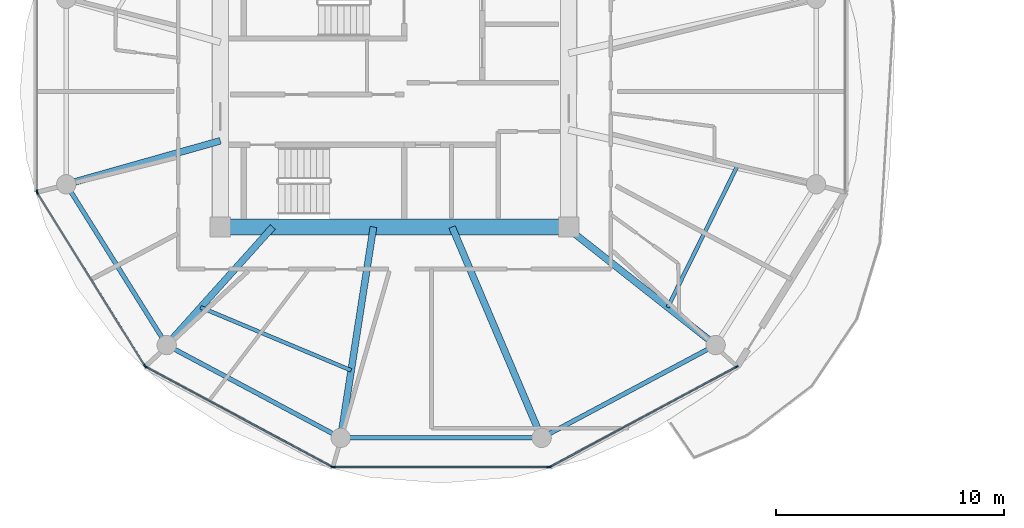
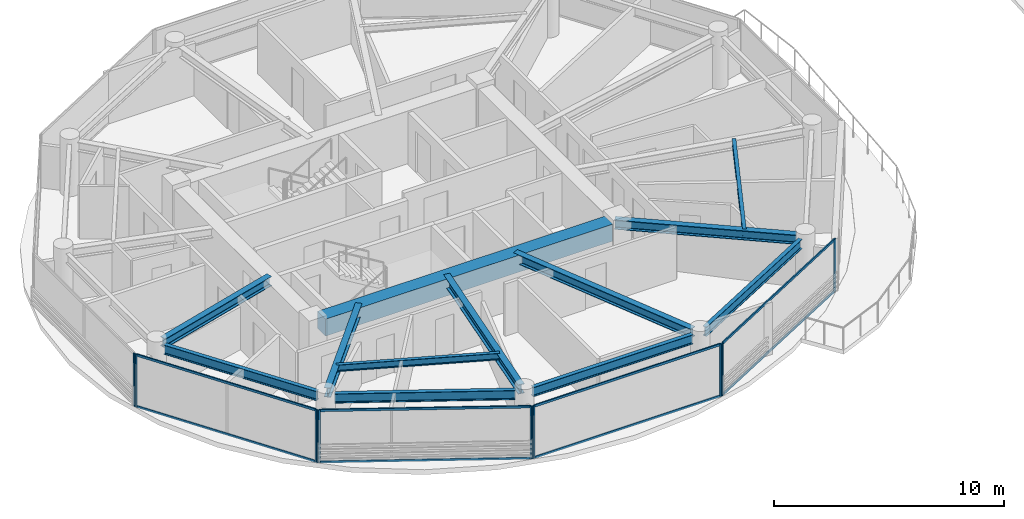
# One storey, part 2 of 22: 17 members, 12 beams, 5 elements without a shape of their own.
"""IFC4 building model written with IfcOpenShell, lengths in metres."""

import ifcopenshell
import ifcopenshell.guid

model = None  # the IFC model being written
_history = None  # IfcOwnerHistory: only IFC2X3 demands one
_inside = {}  # id of a spatial element -> (the spatial element, [elements in it])
_under = {}  # id of a project, library or spatial element -> (it, [spatial elements below it])
_declared = {}  # id of a project -> (the project, [libraries it declares])
_typed = {}  # id of a type object -> (the type object, [elements of that type])
_made_of = {}  # id of a material, layer set ... -> (it, [elements and type objects made of it])


def new_model(schema):
    """Start an empty IFC model of exactly this schema.

    Asked for "IFC4X3", IfcOpenShell would pick the latest addendum, in which some entities
    have other attributes; the version numbers below select the first issue.
    IFC2X3 requires an IfcOwnerHistory on every rooted entity: one is made here for all.
    """
    global model, _history
    if schema == "IFC4X3":
        model = ifcopenshell.file(schema_version=(4, 3, 0, 0))
    else:
        model = ifcopenshell.file(schema=schema)
    _inside.clear()
    _under.clear()
    _declared.clear()
    _typed.clear()
    _made_of.clear()
    _history = None
    if model.schema == "IFC2X3":
        org = make("IfcOrganization", Name="unknown")
        user = make(
            "IfcPersonAndOrganization",
            ThePerson=make("IfcPerson", FamilyName="unknown"),
            TheOrganization=org,
        )
        app = make(
            "IfcApplication",
            ApplicationDeveloper=org,
            Version="unknown",
            ApplicationFullName="unknown",
            ApplicationIdentifier="unknown",
        )
        _history = make(
            "IfcOwnerHistory",
            OwningUser=user,
            OwningApplication=app,
            ChangeAction="ADDED",
            CreationDate=0,
        )
    return model


def make(cls, **values):
    """One entity of the class cls with the attributes given. An attribute that is None is left unset."""
    return model.create_entity(
        cls, **{name: value for name, value in values.items() if value is not None}
    )


def rooted(cls, **values):
    """An entity with a GlobalId (a new one), such as an element, a storey or a relation."""
    return make(cls, GlobalId=ifcopenshell.guid.new(), OwnerHistory=_history, **values)


def si_unit(unit_type, name, prefix=None):
    """IfcSIUnit, for example si_unit("LENGTHUNIT", "METRE", prefix="MILLI")."""
    return make("IfcSIUnit", UnitType=unit_type, Prefix=prefix, Name=name)


def assignment(units):
    """IfcUnitAssignment: the units of a project."""
    return None if units is None else make("IfcUnitAssignment", Units=units)


def point(xyz):
    """IfcCartesianPoint."""
    return None if xyz is None else make("IfcCartesianPoint", Coordinates=xyz)


def direction(xyz):
    """IfcDirection."""
    return None if xyz is None else make("IfcDirection", DirectionRatios=xyz)


def frame(location, z_axis=None, x_axis=None):
    """IfcAxis2Placement3D, a coordinate frame: its origin and axes. An axis left out is left unset."""
    return make(
        "IfcAxis2Placement3D",
        Location=point(location),
        Axis=direction(z_axis),
        RefDirection=direction(x_axis),
    )


def frame_2d(location, x_axis=None):
    """IfcAxis2Placement2D, a coordinate frame in the plane: its origin and x axis."""
    return make(
        "IfcAxis2Placement2D", Location=point(location), RefDirection=direction(x_axis)
    )


def origin():
    """The frame at (0, 0, 0) with its axes left unset."""
    return frame((0.0, 0.0, 0.0))


def origin_2d():
    """The frame at (0, 0) in the plane with its x axis left unset."""
    return frame_2d((0.0, 0.0))


def place(relative_to, where):
    """IfcLocalPlacement: puts the frame where relative to a parent placement (None: the world)."""
    return make(
        "IfcLocalPlacement", PlacementRelTo=relative_to, RelativePlacement=where
    )


def context(
    kind, dimensions, precision=None, world=None, true_north=None, identifier=None
):
    """IfcGeometricRepresentationContext, for example the 3D "Model" context."""
    return make(
        "IfcGeometricRepresentationContext",
        ContextIdentifier=identifier,
        ContextType=kind,
        CoordinateSpaceDimension=dimensions,
        Precision=precision,
        WorldCoordinateSystem=world,
        TrueNorth=true_north,
    )


def subcontext(parent, identifier, kind, view, scale=None):
    """IfcGeometricRepresentationSubContext, for example "Body" below "Model"."""
    return make(
        "IfcGeometricRepresentationSubContext",
        ContextIdentifier=identifier,
        ContextType=kind,
        ParentContext=parent,
        TargetScale=scale,
        TargetView=view,
    )


def project(units=None, contexts=None):
    """IfcProject with its units and contexts."""
    return rooted(
        "IfcProject",
        Name="project",
        RepresentationContexts=contexts,
        UnitsInContext=assignment(units),
    )


def spatial(cls, under=None, at=None, **own):
    """A site, building, storey or space (cls), placed at a placement, below another one or the project."""
    s = rooted(cls, ObjectPlacement=at, **own)
    if under is not None:
        _under.setdefault(under.id(), (under, []))[1].append(s)
    return s


def profile(cls, at=None, kind="AREA", **sizes):
    """A parametric profile (cls). Its sizes go by their IFC names, for example OverallWidth=200.0."""
    return make(cls, ProfileType=kind, Position=at, **sizes)


def rectangle(**sizes):
    """IfcRectangleProfileDef."""
    return profile("IfcRectangleProfileDef", **sizes)


def i_section(**sizes):
    """IfcIShapeProfileDef."""
    return profile("IfcIShapeProfileDef", **sizes)


def extrude(swept, where, along, depth):
    """IfcExtrudedAreaSolid: the profile swept, set in the frame where, extruded along a direction by depth."""
    return make(
        "IfcExtrudedAreaSolid",
        SweptArea=swept,
        Position=where,
        ExtrudedDirection=direction(along),
        Depth=depth,
    )


def shape(context_of_items, identifier, shape_type, items):
    """IfcShapeRepresentation: the items that make up one representation, for example the "Body"."""
    return make(
        "IfcShapeRepresentation",
        ContextOfItems=context_of_items,
        RepresentationIdentifier=identifier,
        RepresentationType=shape_type,
        Items=items,
    )


def source(mapping_origin, context_of_items, identifier, shape_type, items):
    """IfcRepresentationMap: a shape defined once, which mapped items show again and again."""
    return make(
        "IfcRepresentationMap",
        MappingOrigin=mapping_origin,
        MappedRepresentation=shape(context_of_items, identifier, shape_type, items),
    )


def transform(
    local_origin,
    x_axis=None,
    y_axis=None,
    z_axis=None,
    scale=None,
    scale2=None,
    scale3=None,
    uniform=True,
):
    """IfcCartesianTransformationOperator3D, or its non-uniform kind. x_axis, y_axis, z_axis: its Axis1, 2, 3."""
    if uniform:
        return make(
            "IfcCartesianTransformationOperator3D",
            Axis1=direction(x_axis),
            Axis2=direction(y_axis),
            LocalOrigin=point(local_origin),
            Scale=scale,
            Axis3=direction(z_axis),
        )
    return make(
        "IfcCartesianTransformationOperator3DnonUniform",
        Axis1=direction(x_axis),
        Axis2=direction(y_axis),
        LocalOrigin=point(local_origin),
        Scale=scale,
        Axis3=direction(z_axis),
        Scale2=scale2,
        Scale3=scale3,
    )


def mapped(mapping_source, mapping_target):
    """IfcMappedItem: shows the shape of a source again, moved by a transform."""
    return make(
        "IfcMappedItem", MappingSource=mapping_source, MappingTarget=mapping_target
    )


def material(Name=None, Category=None):
    """IfcMaterial."""
    return make("IfcMaterial", Name=Name, Category=Category)


def layer(
    of_material, thickness, ventilated=None, Name=None, Category=None, Priority=None
):
    """IfcMaterialLayer: one layer of a wall or slab, of a material (None: an air gap)."""
    return make(
        "IfcMaterialLayer",
        Material=of_material,
        LayerThickness=thickness,
        IsVentilated=ventilated,
        Name=Name,
        Category=Category,
        Priority=Priority,
    )


def layer_set(layers, Name=None):
    """IfcMaterialLayerSet."""
    return make("IfcMaterialLayerSet", MaterialLayers=layers, LayerSetName=Name)


def material_profile(
    of_material, cross_section, Name=None, Category=None, Priority=None
):
    """IfcMaterialProfile: a cross section and its material."""
    return make(
        "IfcMaterialProfile",
        Name=Name,
        Material=of_material,
        Profile=cross_section,
        Priority=Priority,
        Category=Category,
    )


def profile_set(profiles, Name=None, composite=None):
    """IfcMaterialProfileSet."""
    return make(
        "IfcMaterialProfileSet",
        Name=Name,
        MaterialProfiles=profiles,
        CompositeProfile=composite,
    )


def made_of(thing, what):
    """Note that an element or type object is made of a material, layer set ...; save() writes the relation."""
    if what is not None:
        _made_of.setdefault(what.id(), (what, []))[1].append(thing)
    return thing


def type_object(cls, material=None, **own):
    """A type object (cls), such as IfcWallType, which elements share."""
    return made_of(rooted(cls, **own), material)


def type_shapes(of_type, sources):
    """Give a type object the sources (RepresentationMaps) that its elements show as mapped items."""
    of_type.RepresentationMaps = sources


def element(
    cls,
    number,
    at=None,
    inside=None,
    cuts=None,
    type_object=None,
    material=None,
    context=None,
    identifier="Body",
    shape_type=None,
    held_by="IfcProductDefinitionShape",
    body=None,
    shapes=None,
    **own,
):
    """One element of the class cls, such as IfcWall. Its Tag is "e" and its number.

    at: its placement. inside: the storey or other place that contains it. cuts: it is an
    opening in that element (IfcRelVoidsElement). A single representation is given by context,
    identifier, shape_type and body (its items); several are given by shapes. held_by: the class
    of the entity that holds the representations. save() writes the other relations.
    """
    e = rooted(cls, Tag="e%d" % number, ObjectPlacement=at, **own)
    if body is not None:
        shapes = [shape(context, identifier, shape_type, body)]
    if shapes is not None:
        e.Representation = make(held_by, Representations=shapes)
    if inside is not None:
        _inside.setdefault(inside.id(), (inside, []))[1].append(e)
    if cuts is not None:
        rooted(
            "IfcRelVoidsElement", RelatingBuildingElement=cuts, RelatedOpeningElement=e
        )
    if type_object is not None:
        _typed.setdefault(type_object.id(), (type_object, []))[1].append(e)
    return made_of(e, material)


def aggregate(whole, parts):
    """IfcRelAggregates: a whole, such as a stair, and the parts it consists of."""
    return rooted("IfcRelAggregates", RelatingObject=whole, RelatedObjects=parts)


def save(model, path):
    """Write the relations noted so far, then the file.

    IfcRelAggregates (storeys below a building ...), IfcRelContainedInSpatialStructure (elements
    in a storey), IfcRelDefinesByType, IfcRelAssociatesMaterial and IfcRelDeclares: one each for
    every whole, place, type object, material and project.
    """
    for whole, parts in _under.values():
        aggregate(whole, parts)
    for where, things in _inside.values():
        rooted(
            "IfcRelContainedInSpatialStructure",
            RelatedElements=things,
            RelatingStructure=where,
        )
    for kind, things in _typed.values():
        rooted("IfcRelDefinesByType", RelatedObjects=things, RelatingType=kind)
    for what, things in _made_of.values():
        rooted("IfcRelAssociatesMaterial", RelatedObjects=things, RelatingMaterial=what)
    for by, libraries in _declared.values():
        rooted("IfcRelDeclares", RelatingContext=by, RelatedDefinitions=libraries)
    model.write(path)


model = new_model("IFC4")

# Units and contexts
model_context = context("Model", 3, precision=1e-05, world=origin(), true_north=direction((0.0, 1.0)))
body_context = subcontext(model_context, "Body", "Model", "MODEL_VIEW")
ifc_project = project(units=[si_unit("LENGTHUNIT", "METRE"), si_unit("AREAUNIT", "SQUARE_METRE"), si_unit("VOLUMEUNIT", "CUBIC_METRE"), si_unit("PLANEANGLEUNIT", "RADIAN"), si_unit("MASSUNIT", "GRAM", prefix="KILO")], contexts=[model_context])

# Site, building, storey
site_placement = place(None, origin())
site = spatial("IfcSite", under=ifc_project, at=site_placement, CompositionType="ELEMENT")
building_placement = place(site_placement, origin())
building = spatial("IfcBuilding", under=site, at=building_placement, Name="Norrkilde Senior Care Towers", CompositionType="ELEMENT")
storey_placement = place(building_placement, frame((0.0, 0.0, 120.64990234375)))
storey = spatial("IfcBuildingStorey", under=building, at=storey_placement, Name="L37", CompositionType="ELEMENT", Elevation=120.64990234375)

# Beams
ifc_material_1 = material(Name="Concrete C60/75", Category="concrete")
ifc_material_profile_1 = material_profile(ifc_material_1, rectangle(XDim=0.699951171875, YDim=0.89990234375, at=origin_2d()), Name="RC BM 700x900")
ifc_profile_set_1 = profile_set([ifc_material_profile_1], Name="Concrete C60/75")
beam_type_1 = type_object("IfcBeamType", Name="Core Coupling Girder 700x900", PredefinedType="USERDEFINED", material=ifc_profile_set_1)
shared_shape_1 = source(origin(), body_context, "Body", "SweptSolid", [
    extrude(rectangle(XDim=0.699951171875, YDim=0.89990234375, at=origin_2d()), origin(), (0.0, 0.0, 1.0), 14.43994140625),
])
type_shapes(beam_type_1, [shared_shape_1])
beam_1_placement = place(storey_placement, frame((-35.219970703125, -5.949951171875, 2.340087890625), z_axis=(1.0, 0.0, 0.0), x_axis=(0.0, 1.0, 0.0)))
element("IfcBeam", 1, at=beam_1_placement, inside=storey, type_object=beam_type_1, Name="L37 Core W S Coupling Girder", ObjectType="GIRDER", PredefinedType="USERDEFINED", context=body_context, shape_type="MappedRepresentation", body=[
    mapped(shared_shape_1, transform((0.0, 0.0, 0.0), x_axis=(1.0, 0.0, 0.0), y_axis=(0.0, 1.0, 0.0), z_axis=(0.0, 0.0, 1.0), scale=1.0)),
])
ifc_material_2 = material(Name="Steel S355", Category="steel")
ifc_material_profile_2 = material_profile(ifc_material_2, i_section(OverallWidth=0.199951171875, OverallDepth=0.5, WebThickness=0.01025390625, FlangeThickness=0.01611328125, FilletRadius=0.02099609375, at=origin_2d()), Name="IPE 500")
ifc_profile_set_2 = profile_set([ifc_material_profile_2], Name="Steel S355")
beam_type_2 = type_object("IfcBeamType", Name="Perimeter Ring Spandrel Z2 IPE500", PredefinedType="SPANDREL", material=ifc_profile_set_2)
shared_shape_2 = source(origin(), body_context, "Body", "SweptSolid", [
    extrude(i_section(OverallWidth=0.199951171875, OverallDepth=0.5, WebThickness=0.01025390625, FlangeThickness=0.01611328125, FilletRadius=0.02099609375, at=origin_2d()), origin(), (0.0, 0.0, 1.0), 7.892333984375),
])
for number, where, z_axis, x_axis, name in (
    (2, (-37.66650390625, -11.318115234375, 2.5400390625), (0.882350372282, -0.47059305194, 0.0), (0.47059305194, 0.882350372282, 0.0), "L37 Drum W Perimeter Spandrel 08"),
    (3, (-21.197509765625, -15.0322265625, 2.5400390625), (0.882350372282, 0.47059305194, 0.0), (-0.47059305194, 0.882350372282, 0.0), "L37 Drum W Perimeter Spandrel 10"),
):
    element("IfcBeam", number, at=place(storey_placement, frame(where, z_axis=z_axis, x_axis=x_axis)), inside=storey, type_object=beam_type_2, Name=name, PredefinedType="SPANDREL", context=body_context, shape_type="MappedRepresentation", body=[
        mapped(shared_shape_2, transform((0.0, 0.0, 0.0), x_axis=(1.0, 0.0, 0.0), y_axis=(0.0, 1.0, 0.0), z_axis=(0.0, 0.0, 1.0), scale=1.0)),
    ])
ifc_material_profile_3 = material_profile(ifc_material_2, i_section(OverallWidth=0.300048828125, OverallDepth=0.5, WebThickness=0.014404296875, FlangeThickness=0.028076171875, FilletRadius=0.027099609375, at=origin_2d()), Name="HEB 500")
ifc_profile_set_3 = profile_set([ifc_material_profile_3], Name="Steel S355")
beam_type_3 = type_object("IfcBeamType", Name="Radial Floor Beam Z2 HEB500", PredefinedType="BEAM", material=ifc_profile_set_3)
shared_shape_3 = source(origin(), body_context, "Body", "SweptSolid", [
    extrude(i_section(OverallWidth=0.300048828125, OverallDepth=0.5, WebThickness=0.014404296875, FlangeThickness=0.028076171875, FilletRadius=0.027099609375, at=origin_2d()), origin(), (0.0, 0.0, 1.0), 7.985595703125),
])
beam_2_placement = place(storey_placement, frame((-20.463623046875, -5.949951171875, 2.5400390625), z_axis=(0.784858505144, -0.619675017169, 0.0), x_axis=(0.619675017169, 0.784858505144, 0.0)))
element("IfcBeam", 4, at=beam_2_placement, inside=storey, type_object=beam_type_3, Name="L37 Drum W Radial Floor Beam 11", PredefinedType="BEAM", context=body_context, shape_type="MappedRepresentation", body=[
    mapped(shared_shape_3, transform((0.0, 0.0, 0.0), x_axis=(1.0, 0.0, 0.0), y_axis=(0.0, 1.0, 0.0), z_axis=(0.0, 0.0, 1.0), scale=1.0)),
])
shared_shape_4 = source(origin(), body_context, "Body", "SweptSolid", [
    extrude(i_section(OverallWidth=0.199951171875, OverallDepth=0.5, WebThickness=0.01025390625, FlangeThickness=0.01611328125, FilletRadius=0.02099609375, at=origin_2d()), origin(), (0.0, 0.0, 1.0), 8.0556640625),
])
beam_3_placement = place(storey_placement, frame((-29.977783203125, -15.21337890625, 2.5400390625), z_axis=(1.0, 0.0, 0.0), x_axis=(0.0, 1.0, 0.0)))
element("IfcBeam", 5, at=beam_3_placement, inside=storey, type_object=beam_type_2, Name="L37 Drum W Perimeter Spandrel 09", PredefinedType="SPANDREL", context=body_context, shape_type="MappedRepresentation", body=[
    mapped(shared_shape_4, transform((0.0, 0.0, 0.0), x_axis=(1.0, 0.0, 0.0), y_axis=(0.0, 1.0, 0.0), z_axis=(0.0, 0.0, 1.0), scale=1.0)),
])
shared_shape_5 = source(origin(), body_context, "Body", "SweptSolid", [
    extrude(i_section(OverallWidth=0.300048828125, OverallDepth=0.5, WebThickness=0.014404296875, FlangeThickness=0.028076171875, FilletRadius=0.027099609375, at=origin_2d()), origin(), (0.0, 0.0, 1.0), 9.679443359375),
])
beam_4_placement = place(storey_placement, frame((-25.472412109375, -5.949951171875, 2.5400390625), z_axis=(0.390998033479, -0.920391513333, 0.0), x_axis=(0.920391513333, 0.390998033479, 0.0)))
element("IfcBeam", 6, at=beam_4_placement, inside=storey, type_object=beam_type_3, Name="L37 Drum W Radial Floor Beam 10", PredefinedType="BEAM", context=body_context, shape_type="MappedRepresentation", body=[
    mapped(shared_shape_5, transform((0.0, 0.0, 0.0), x_axis=(1.0, 0.0, 0.0), y_axis=(0.0, 1.0, 0.0), z_axis=(0.0, 0.0, 1.0), scale=1.0)),
])
shared_shape_6 = source(origin(), body_context, "Body", "SweptSolid", [
    extrude(i_section(OverallWidth=0.300048828125, OverallDepth=0.5, WebThickness=0.014404296875, FlangeThickness=0.028076171875, FilletRadius=0.027099609375, at=origin_2d()), origin(), (0.0, 0.0, 1.0), 8.989501953125),
])
beam_5_placement = place(storey_placement, frame((-28.924072265625, -5.949951171875, 2.5400390625), z_axis=(-0.153471298636, -0.988153105796, 0.0), x_axis=(0.988153105796, -0.153471298636, 0.0)))
element("IfcBeam", 7, at=beam_5_placement, inside=storey, type_object=beam_type_3, Name="L37 Drum W Radial Floor Beam 09", PredefinedType="BEAM", context=body_context, shape_type="MappedRepresentation", body=[
    mapped(shared_shape_6, transform((0.0, 0.0, 0.0), x_axis=(1.0, 0.0, 0.0), y_axis=(0.0, 1.0, 0.0), z_axis=(0.0, 0.0, 1.0), scale=1.0)),
])
shared_shape_7 = source(origin(), body_context, "Body", "SweptSolid", [
    extrude(i_section(OverallWidth=0.199951171875, OverallDepth=0.5, WebThickness=0.01025390625, FlangeThickness=0.01611328125, FilletRadius=0.02099609375, at=origin_2d()), origin(), (0.0, 0.0, 1.0), 7.556396484375),
])
type_shapes(beam_type_2, [shared_shape_2, shared_shape_4, shared_shape_7])
beam_6_placement = place(storey_placement, frame((-42.215087890625, -4.40283203125, 2.5400390625), z_axis=(0.530004748437, -0.847994673706, 0.0), x_axis=(0.847994673706, 0.530004748437, 0.0)))
element("IfcBeam", 8, at=beam_6_placement, inside=storey, type_object=beam_type_2, Name="L37 Drum W Perimeter Spandrel 07", PredefinedType="SPANDREL", context=body_context, shape_type="MappedRepresentation", body=[
    mapped(shared_shape_7, transform((0.0, 0.0, 0.0), x_axis=(1.0, 0.0, 0.0), y_axis=(0.0, 1.0, 0.0), z_axis=(0.0, 0.0, 1.0), scale=1.0)),
])
shared_shape_8 = source(origin(), body_context, "Body", "SweptSolid", [
    extrude(i_section(OverallWidth=0.300048828125, OverallDepth=0.5, WebThickness=0.014404296875, FlangeThickness=0.028076171875, FilletRadius=0.027099609375, at=origin_2d()), origin(), (0.0, 0.0, 1.0), 6.587890625),
])
beam_7_placement = place(storey_placement, frame((-33.345947265625, -5.949951171875, 2.5400390625), z_axis=(-0.668315438605, -0.743877997068, 0.0), x_axis=(0.743877997068, -0.668315438605, 0.0)))
element("IfcBeam", 9, at=beam_7_placement, inside=storey, type_object=beam_type_3, Name="L37 Drum W Radial Floor Beam 08", PredefinedType="BEAM", context=body_context, shape_type="MappedRepresentation", body=[
    mapped(shared_shape_8, transform((0.0, 0.0, 0.0), x_axis=(1.0, 0.0, 0.0), y_axis=(0.0, 1.0, 0.0), z_axis=(0.0, 0.0, 1.0), scale=1.0)),
])
shared_shape_9 = source(origin(), body_context, "Body", "SweptSolid", [
    extrude(i_section(OverallWidth=0.300048828125, OverallDepth=0.5, WebThickness=0.014404296875, FlangeThickness=0.028076171875, FilletRadius=0.027099609375, at=origin_2d()), origin(), (0.0, 0.0, 1.0), 6.6494140625),
])
type_shapes(beam_type_3, [shared_shape_3, shared_shape_5, shared_shape_6, shared_shape_8, shared_shape_9])
beam_8_placement = place(storey_placement, frame((-35.64990234375, -2.162841796875, 2.5400390625), z_axis=(-0.962289138357, -0.27202870106, 0.0), x_axis=(0.27202870106, -0.962289138357, 0.0)))
element("IfcBeam", 10, at=beam_8_placement, inside=storey, type_object=beam_type_3, Name="L37 Drum W Radial Floor Beam 07", PredefinedType="BEAM", context=body_context, shape_type="MappedRepresentation", body=[
    mapped(shared_shape_9, transform((0.0, 0.0, 0.0), x_axis=(1.0, 0.0, 0.0), y_axis=(0.0, 1.0, 0.0), z_axis=(0.0, 0.0, 1.0), scale=1.0)),
])
ifc_material_profile_4 = material_profile(ifc_material_2, i_section(OverallWidth=0.169921875, OverallDepth=0.360107421875, WebThickness=0.008056640625, FlangeThickness=0.0126953125, FilletRadius=0.01806640625, at=origin_2d()), Name="IPE 360")
ifc_profile_set_4 = profile_set([ifc_material_profile_4], Name="Steel S355")
beam_type_4 = type_object("IfcBeamType", Name="Secondary Floor Joist IPE360", PredefinedType="JOIST", material=ifc_profile_set_4)
shared_shape_10 = source(origin(), body_context, "Body", "SweptSolid", [
    extrude(i_section(OverallWidth=0.169921875, OverallDepth=0.360107421875, WebThickness=0.008056640625, FlangeThickness=0.0126953125, FilletRadius=0.01806640625, at=origin_2d()), origin(), (0.0, 0.0, 1.0), 7.169921875),
])
beam_9_placement = place(storey_placement, frame((-36.514892578125, -9.47705078125, 2.610107421875), z_axis=(0.922240600393, -0.386616444279, 0.0), x_axis=(0.386616444279, 0.922240600393, 0.0)))
element("IfcBeam", 11, at=beam_9_placement, inside=storey, type_object=beam_type_4, Name="L37 Drum W Secondary Floor Joist 3", PredefinedType="JOIST", context=body_context, shape_type="MappedRepresentation", body=[
    mapped(shared_shape_10, transform((0.0, 0.0, 0.0), x_axis=(1.0, 0.0, 0.0), y_axis=(0.0, 1.0, 0.0), z_axis=(0.0, 0.0, 1.0), scale=1.0)),
])
shared_shape_11 = source(origin(), body_context, "Body", "SweptSolid", [
    extrude(i_section(OverallWidth=0.169921875, OverallDepth=0.360107421875, WebThickness=0.008056640625, FlangeThickness=0.0126953125, FilletRadius=0.01806640625, at=origin_2d()), origin(), (0.0, 0.0, 1.0), 6.87353515625),
])
type_shapes(beam_type_4, [shared_shape_10, shared_shape_11])
beam_10_placement = place(storey_placement, frame((-15.99609375, -9.47705078125, 2.610107421875), z_axis=(0.44184939592, 0.897089243791, 0.0), x_axis=(-0.897089243791, 0.44184939592, 0.0)))
element("IfcBeam", 12, at=beam_10_placement, inside=storey, type_object=beam_type_4, Name="L37 Drum W Secondary Floor Joist 4", PredefinedType="JOIST", context=body_context, shape_type="MappedRepresentation", body=[
    mapped(shared_shape_11, transform((0.0, 0.0, 0.0), x_axis=(1.0, 0.0, 0.0), y_axis=(0.0, 1.0, 0.0), z_axis=(0.0, 0.0, 1.0), scale=1.0)),
])

# Curtain wall, member
ifc_material_3 = material(Name="Triple Low-E Insulated Glazing", Category="glass")
ifc_layer = layer(ifc_material_3, 0.195068359375)
ifc_layer_set = layer_set([ifc_layer], Name="Triple Low-E Insulated Glazing")
curtain_wall_type = type_object("IfcCurtainWallType", Name="CW3 Zone 2 Assisted Living Curtain Wall", PredefinedType="NOTDEFINED", material=ifc_layer_set)
curtain_wall_1_placement = place(storey_placement, origin())
curtain_wall_1 = element("IfcCurtainWall", 13, at=curtain_wall_1_placement, inside=storey, type_object=curtain_wall_type, Name="L37 Drum W Curtain Wall 05", PredefinedType="NOTDEFINED")
ifc_material_4 = material(Name="Anodised Aluminium", Category="aluminium")
ifc_material_profile_5 = material_profile(ifc_material_4, rectangle(XDim=0.06494140625, YDim=0.159912109375, at=origin_2d()), Name="ALU MULL 65x160")
ifc_profile_set_5 = profile_set([ifc_material_profile_5], Name="Anodised Aluminium")
member_type_1 = type_object("IfcMemberType", Name="Curtain Wall Mullion Z1-Z2 65x160", PredefinedType="MULLION", material=ifc_profile_set_5)
shared_shape_12 = source(origin(), body_context, "Body", "SweptSolid", [
    extrude(rectangle(XDim=0.06494140625, YDim=0.159912109375, at=origin_2d()), origin(), (0.0, 0.0, 1.0), 2.7900390625),
])
type_shapes(member_type_1, [shared_shape_12])
member_1_placement = place(storey_placement, frame((-43.70361328125, -4.38818359375, 0.0), z_axis=(0.0, 0.0, 1.0), x_axis=(-1.0, 0.0, 0.0)))
member_1 = element("IfcMember", 14, at=member_1_placement, type_object=member_type_1, Name="CW-3 mullion 1", PredefinedType="MULLION", context=body_context, shape_type="MappedRepresentation", body=[
    mapped(shared_shape_12, transform((0.0, 0.0, 0.0), x_axis=(1.0, 0.0, 0.0), y_axis=(0.0, 1.0, 0.0), z_axis=(0.0, 0.0, 1.0), scale=1.0)),
])
aggregate(curtain_wall_1, [member_1])

# Curtain wall, members
curtain_wall_2_placement = place(storey_placement, origin())
curtain_wall_2 = element("IfcCurtainWall", 15, at=curtain_wall_2_placement, inside=storey, type_object=curtain_wall_type, Name="L37 Drum W Curtain Wall 06", PredefinedType="NOTDEFINED")
member_2_placement = place(storey_placement, frame((-38.9638671875, -12.0498046875, 0.0), z_axis=(0.0, 0.0, 1.0), x_axis=(-0.849410171862, -0.527733228002, 0.0)))
member_2 = element("IfcMember", 16, at=member_2_placement, type_object=member_type_1, Name="CW-3 mullion 1", PredefinedType="MULLION", context=body_context, shape_type="MappedRepresentation", body=[
    mapped(shared_shape_12, transform((0.0, 0.0, 0.0), x_axis=(1.0, 0.0, 0.0), y_axis=(0.0, 1.0, 0.0), z_axis=(0.0, 0.0, 1.0), scale=1.0)),
])
member_3_placement = place(storey_placement, frame((-43.6865234375, -4.4482421875, 0.0), z_axis=(0.0, 0.0, 1.0), x_axis=(-0.849410171862, -0.527733228002, 0.0)))
member_3 = element("IfcMember", 17, at=member_3_placement, type_object=member_type_1, Name="CW-3 mullion 2", PredefinedType="MULLION", context=body_context, shape_type="MappedRepresentation", body=[
    mapped(shared_shape_12, transform((0.0, 0.0, 0.0), x_axis=(1.0, 0.0, 0.0), y_axis=(0.0, 1.0, 0.0), z_axis=(0.0, 0.0, 1.0), scale=1.0)),
])

curtain_wall_3_placement = place(storey_placement, origin())
curtain_wall_3 = element("IfcCurtainWall", 18, at=curtain_wall_3_placement, inside=storey, type_object=curtain_wall_type, Name="L37 Drum W Curtain Wall 07", PredefinedType="NOTDEFINED")
member_4_placement = place(storey_placement, frame((-30.73583984375, -16.482666015625, 0.0), z_axis=(0.0, 0.0, 1.0), x_axis=(-0.472769402511, -0.881186184668, 0.0)))
member_4 = element("IfcMember", 19, at=member_4_placement, type_object=member_type_1, Name="CW-3 mullion 1", PredefinedType="MULLION", context=body_context, shape_type="MappedRepresentation", body=[
    mapped(shared_shape_12, transform((0.0, 0.0, 0.0), x_axis=(1.0, 0.0, 0.0), y_axis=(0.0, 1.0, 0.0), z_axis=(0.0, 0.0, 1.0), scale=1.0)),
])
member_5_placement = place(storey_placement, frame((-38.91796875, -12.0927734375, 0.0), z_axis=(0.0, 0.0, 1.0), x_axis=(-0.472769402511, -0.881186184668, 0.0)))
member_5 = element("IfcMember", 20, at=member_5_placement, type_object=member_type_1, Name="CW-3 mullion 2", PredefinedType="MULLION", context=body_context, shape_type="MappedRepresentation", body=[
    mapped(shared_shape_12, transform((0.0, 0.0, 0.0), x_axis=(1.0, 0.0, 0.0), y_axis=(0.0, 1.0, 0.0), z_axis=(0.0, 0.0, 1.0), scale=1.0)),
])

curtain_wall_4_placement = place(storey_placement, origin())
curtain_wall_4 = element("IfcCurtainWall", 21, at=curtain_wall_4_placement, inside=storey, type_object=curtain_wall_type, Name="L37 Drum W Curtain Wall 08", PredefinedType="NOTDEFINED")
member_6_placement = place(storey_placement, frame((-21.225341796875, -16.498046875, 0.0), z_axis=(0.0, 0.0, 1.0), x_axis=(0.0, -1.0, 0.0)))
member_6 = element("IfcMember", 22, at=member_6_placement, type_object=member_type_1, Name="CW-3 mullion 1", PredefinedType="MULLION", context=body_context, shape_type="MappedRepresentation", body=[
    mapped(shared_shape_12, transform((0.0, 0.0, 0.0), x_axis=(1.0, 0.0, 0.0), y_axis=(0.0, 1.0, 0.0), z_axis=(0.0, 0.0, 1.0), scale=1.0)),
])
member_7_placement = place(storey_placement, frame((-30.674560546875, -16.498046875, 0.0), z_axis=(0.0, 0.0, 1.0), x_axis=(0.0, -1.0, 0.0)))
member_7 = element("IfcMember", 23, at=member_7_placement, type_object=member_type_1, Name="CW-3 mullion 2", PredefinedType="MULLION", context=body_context, shape_type="MappedRepresentation", body=[
    mapped(shared_shape_12, transform((0.0, 0.0, 0.0), x_axis=(1.0, 0.0, 0.0), y_axis=(0.0, 1.0, 0.0), z_axis=(0.0, 0.0, 1.0), scale=1.0)),
])

curtain_wall_5_placement = place(storey_placement, origin())
curtain_wall_5 = element("IfcCurtainWall", 24, at=curtain_wall_5_placement, inside=storey, type_object=curtain_wall_type, Name="L37 Drum W Curtain Wall 09", PredefinedType="NOTDEFINED")
member_8_placement = place(storey_placement, frame((-12.98193359375, -12.0927734375, 0.0), z_axis=(0.0, 0.0, 1.0), x_axis=(0.472769402511, -0.881186184668, 0.0)))
member_8 = element("IfcMember", 25, at=member_8_placement, type_object=member_type_1, Name="CW-3 mullion 1", PredefinedType="MULLION", context=body_context, shape_type="MappedRepresentation", body=[
    mapped(shared_shape_12, transform((0.0, 0.0, 0.0), x_axis=(1.0, 0.0, 0.0), y_axis=(0.0, 1.0, 0.0), z_axis=(0.0, 0.0, 1.0), scale=1.0)),
])
member_9_placement = place(storey_placement, frame((-21.164306640625, -16.482666015625, 0.0), z_axis=(0.0, 0.0, 1.0), x_axis=(0.472769402511, -0.881186184668, 0.0)))
member_9 = element("IfcMember", 26, at=member_9_placement, type_object=member_type_1, Name="CW-3 mullion 2", PredefinedType="MULLION", context=body_context, shape_type="MappedRepresentation", body=[
    mapped(shared_shape_12, transform((0.0, 0.0, 0.0), x_axis=(1.0, 0.0, 0.0), y_axis=(0.0, 1.0, 0.0), z_axis=(0.0, 0.0, 1.0), scale=1.0)),
])

# Member
ifc_material_profile_6 = material_profile(ifc_material_4, rectangle(XDim=0.06005859375, YDim=0.1201171875, at=origin_2d()), Name="ALU TRAN 60x120")
ifc_profile_set_6 = profile_set([ifc_material_profile_6], Name="Anodised Aluminium")
member_type_2 = type_object("IfcMemberType", Name="Curtain Wall Transom Typical 60x120", PredefinedType="USERDEFINED", material=ifc_profile_set_6)
shared_shape_13 = source(origin(), body_context, "Body", "SweptSolid", [
    extrude(rectangle(XDim=0.06005859375, YDim=0.1201171875, at=origin_2d()), origin(), (0.0, 0.0, 1.0), 8.88427734375),
])
member_10_placement = place(storey_placement, frame((-38.98095703125, -12.022216796875, 0.030029296875), z_axis=(-0.527729466743, 0.849412508697, 0.0), x_axis=(-0.849412508697, -0.527729466743, 0.0)))
member_10 = element("IfcMember", 27, at=member_10_placement, type_object=member_type_2, Name="CW-3 transom 1.1", ObjectType="TRANSOM", PredefinedType="USERDEFINED", context=body_context, shape_type="MappedRepresentation", body=[
    mapped(shared_shape_13, transform((0.0, 0.0, 0.0), x_axis=(1.0, 0.0, 0.0), y_axis=(0.0, 1.0, 0.0), z_axis=(0.0, 0.0, 1.0), scale=1.0)),
])

member_11_placement = place(storey_placement, frame((-38.98095703125, -12.022216796875, 2.760009765625), z_axis=(-0.527729466743, 0.849412508697, 0.0), x_axis=(-0.849412508697, -0.527729466743, 0.0)))
member_11 = element("IfcMember", 28, at=member_11_placement, type_object=member_type_2, Name="CW-3 transom 1.2", ObjectType="TRANSOM", PredefinedType="USERDEFINED", context=body_context, shape_type="MappedRepresentation", body=[
    mapped(shared_shape_13, transform((0.0, 0.0, 0.0), x_axis=(1.0, 0.0, 0.0), y_axis=(0.0, 1.0, 0.0), z_axis=(0.0, 0.0, 1.0), scale=1.0)),
])

aggregate(curtain_wall_2, [member_2, member_3, member_10, member_11])

shared_shape_14 = source(origin(), body_context, "Body", "SweptSolid", [
    extrude(rectangle(XDim=0.06005859375, YDim=0.1201171875, at=origin_2d()), origin(), (0.0, 0.0, 1.0), 9.220458984375),
])
member_12_placement = place(storey_placement, frame((-30.764404296875, -16.46728515625, 0.030029296875), z_axis=(-0.881188517866, 0.472765053681, 0.0), x_axis=(-0.472765053681, -0.881188517866, 0.0)))
member_12 = element("IfcMember", 29, at=member_12_placement, type_object=member_type_2, Name="CW-3 transom 1.1", ObjectType="TRANSOM", PredefinedType="USERDEFINED", context=body_context, shape_type="MappedRepresentation", body=[
    mapped(shared_shape_14, transform((0.0, 0.0, 0.0), x_axis=(1.0, 0.0, 0.0), y_axis=(0.0, 1.0, 0.0), z_axis=(0.0, 0.0, 1.0), scale=1.0)),
])

member_13_placement = place(storey_placement, frame((-30.764404296875, -16.46728515625, 2.760009765625), z_axis=(-0.881188517866, 0.472765053681, 0.0), x_axis=(-0.472765053681, -0.881188517866, 0.0)))
member_13 = element("IfcMember", 30, at=member_13_placement, type_object=member_type_2, Name="CW-3 transom 1.2", ObjectType="TRANSOM", PredefinedType="USERDEFINED", context=body_context, shape_type="MappedRepresentation", body=[
    mapped(shared_shape_14, transform((0.0, 0.0, 0.0), x_axis=(1.0, 0.0, 0.0), y_axis=(0.0, 1.0, 0.0), z_axis=(0.0, 0.0, 1.0), scale=1.0)),
])

aggregate(curtain_wall_3, [member_4, member_5, member_12, member_13])

member_14_placement = place(storey_placement, frame((-13.0107421875, -12.108154296875, 0.030029296875), z_axis=(-0.881188517866, -0.472765053681, 0.0), x_axis=(0.472765053681, -0.881188517866, 0.0)))
member_14 = element("IfcMember", 31, at=member_14_placement, type_object=member_type_2, Name="CW-3 transom 1.1", ObjectType="TRANSOM", PredefinedType="USERDEFINED", context=body_context, shape_type="MappedRepresentation", body=[
    mapped(shared_shape_14, transform((0.0, 0.0, 0.0), x_axis=(1.0, 0.0, 0.0), y_axis=(0.0, 1.0, 0.0), z_axis=(0.0, 0.0, 1.0), scale=1.0)),
])

member_15_placement = place(storey_placement, frame((-13.0107421875, -12.108154296875, 2.760009765625), z_axis=(-0.881188517866, -0.472765053681, 0.0), x_axis=(0.472765053681, -0.881188517866, 0.0)))
member_15 = element("IfcMember", 32, at=member_15_placement, type_object=member_type_2, Name="CW-3 transom 1.2", ObjectType="TRANSOM", PredefinedType="USERDEFINED", context=body_context, shape_type="MappedRepresentation", body=[
    mapped(shared_shape_14, transform((0.0, 0.0, 0.0), x_axis=(1.0, 0.0, 0.0), y_axis=(0.0, 1.0, 0.0), z_axis=(0.0, 0.0, 1.0), scale=1.0)),
])

aggregate(curtain_wall_5, [member_8, member_9, member_14, member_15])

shared_shape_15 = source(origin(), body_context, "Body", "SweptSolid", [
    extrude(rectangle(XDim=0.06005859375, YDim=0.1201171875, at=origin_2d()), origin(), (0.0, 0.0, 1.0), 9.38427734375),
])
type_shapes(member_type_2, [shared_shape_13, shared_shape_14, shared_shape_15])
member_16_placement = place(storey_placement, frame((-21.2578125, -16.498046875, 0.030029296875), z_axis=(-1.0, 0.0, 0.0), x_axis=(0.0, -1.0, 0.0)))
member_16 = element("IfcMember", 33, at=member_16_placement, type_object=member_type_2, Name="CW-3 transom 1.1", ObjectType="TRANSOM", PredefinedType="USERDEFINED", context=body_context, shape_type="MappedRepresentation", body=[
    mapped(shared_shape_15, transform((0.0, 0.0, 0.0), x_axis=(1.0, 0.0, 0.0), y_axis=(0.0, 1.0, 0.0), z_axis=(0.0, 0.0, 1.0), scale=1.0)),
])

member_17_placement = place(storey_placement, frame((-21.2578125, -16.498046875, 2.760009765625), z_axis=(-1.0, 0.0, 0.0), x_axis=(0.0, -1.0, 0.0)))
member_17 = element("IfcMember", 34, at=member_17_placement, type_object=member_type_2, Name="CW-3 transom 1.2", ObjectType="TRANSOM", PredefinedType="USERDEFINED", context=body_context, shape_type="MappedRepresentation", body=[
    mapped(shared_shape_15, transform((0.0, 0.0, 0.0), x_axis=(1.0, 0.0, 0.0), y_axis=(0.0, 1.0, 0.0), z_axis=(0.0, 0.0, 1.0), scale=1.0)),
])

aggregate(curtain_wall_4, [member_6, member_7, member_16, member_17])

save(model, "model.ifc")
